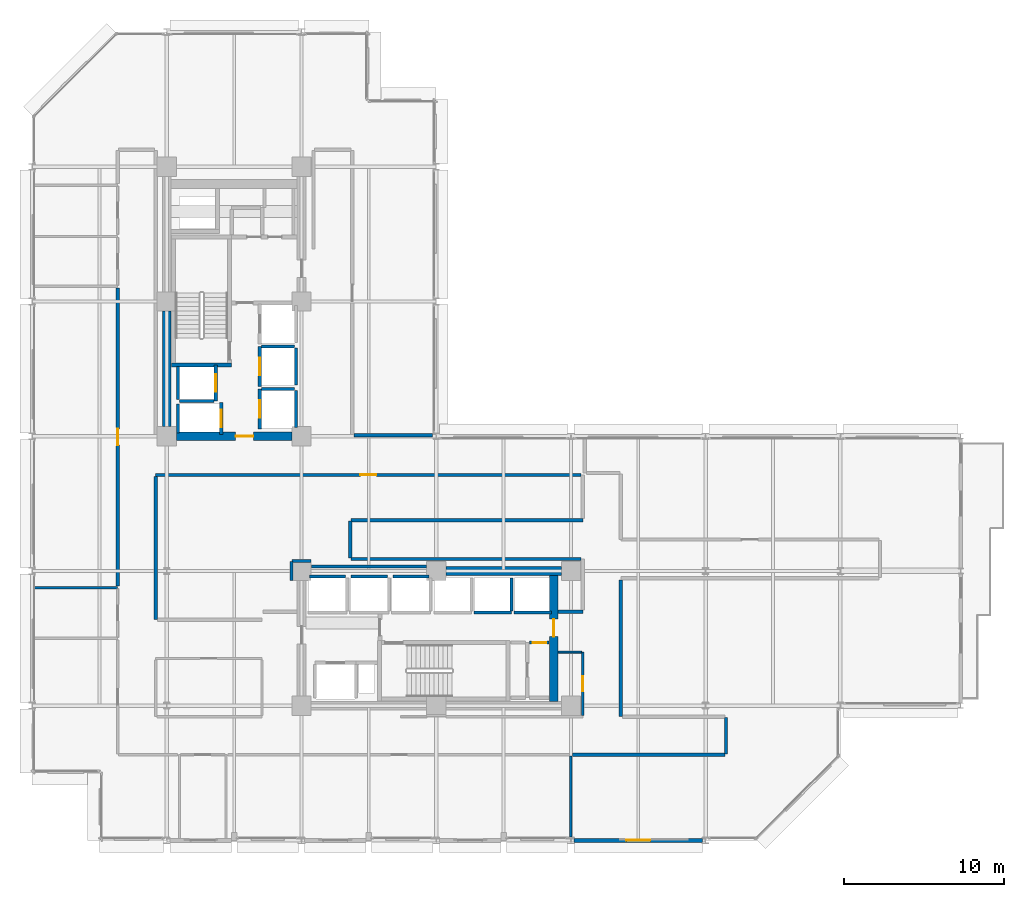
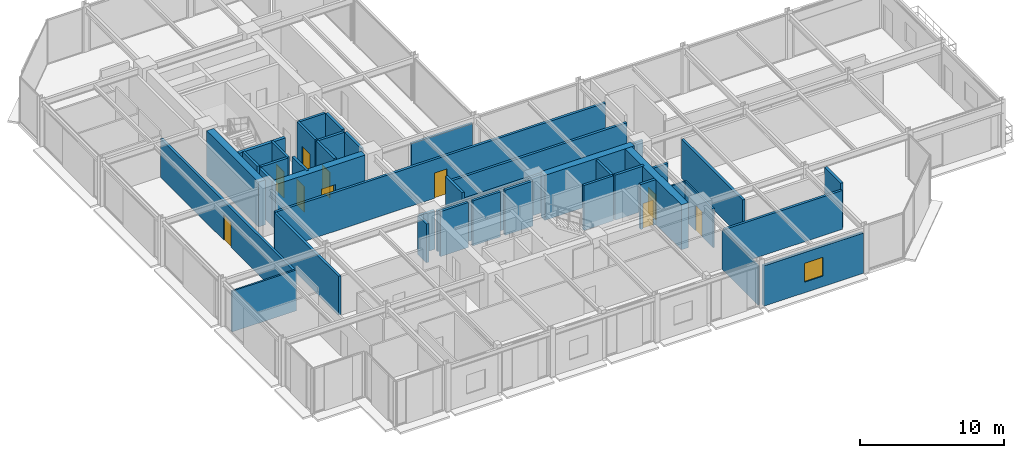
# One storey, part 33 of 39: 42 walls, 10 doors, 1 window, 11 openings.
"""IFC4 building model written with IfcOpenShell, lengths in metres."""

import ifcopenshell
import ifcopenshell.guid

model = None  # the IFC model being written
_history = None  # IfcOwnerHistory: only IFC2X3 demands one
_inside = {}  # id of a spatial element -> (the spatial element, [elements in it])
_under = {}  # id of a project, library or spatial element -> (it, [spatial elements below it])
_declared = {}  # id of a project -> (the project, [libraries it declares])
_typed = {}  # id of a type object -> (the type object, [elements of that type])
_made_of = {}  # id of a material, layer set ... -> (it, [elements and type objects made of it])


def new_model(schema):
    """Start an empty IFC model of exactly this schema.

    Asked for "IFC4X3", IfcOpenShell would pick the latest addendum, in which some entities
    have other attributes; the version numbers below select the first issue.
    IFC2X3 requires an IfcOwnerHistory on every rooted entity: one is made here for all.
    """
    global model, _history
    if schema == "IFC4X3":
        model = ifcopenshell.file(schema_version=(4, 3, 0, 0))
    else:
        model = ifcopenshell.file(schema=schema)
    _inside.clear()
    _under.clear()
    _declared.clear()
    _typed.clear()
    _made_of.clear()
    _history = None
    if model.schema == "IFC2X3":
        org = make("IfcOrganization", Name="unknown")
        user = make(
            "IfcPersonAndOrganization",
            ThePerson=make("IfcPerson", FamilyName="unknown"),
            TheOrganization=org,
        )
        app = make(
            "IfcApplication",
            ApplicationDeveloper=org,
            Version="unknown",
            ApplicationFullName="unknown",
            ApplicationIdentifier="unknown",
        )
        _history = make(
            "IfcOwnerHistory",
            OwningUser=user,
            OwningApplication=app,
            ChangeAction="ADDED",
            CreationDate=0,
        )
    return model


def make(cls, **values):
    """One entity of the class cls with the attributes given. An attribute that is None is left unset."""
    return model.create_entity(
        cls, **{name: value for name, value in values.items() if value is not None}
    )


def rooted(cls, **values):
    """An entity with a GlobalId (a new one), such as an element, a storey or a relation."""
    return make(cls, GlobalId=ifcopenshell.guid.new(), OwnerHistory=_history, **values)


def si_unit(unit_type, name, prefix=None):
    """IfcSIUnit, for example si_unit("LENGTHUNIT", "METRE", prefix="MILLI")."""
    return make("IfcSIUnit", UnitType=unit_type, Prefix=prefix, Name=name)


def assignment(units):
    """IfcUnitAssignment: the units of a project."""
    return None if units is None else make("IfcUnitAssignment", Units=units)


def point(xyz):
    """IfcCartesianPoint."""
    return None if xyz is None else make("IfcCartesianPoint", Coordinates=xyz)


def direction(xyz):
    """IfcDirection."""
    return None if xyz is None else make("IfcDirection", DirectionRatios=xyz)


def frame(location, z_axis=None, x_axis=None):
    """IfcAxis2Placement3D, a coordinate frame: its origin and axes. An axis left out is left unset."""
    return make(
        "IfcAxis2Placement3D",
        Location=point(location),
        Axis=direction(z_axis),
        RefDirection=direction(x_axis),
    )


def frame_2d(location, x_axis=None):
    """IfcAxis2Placement2D, a coordinate frame in the plane: its origin and x axis."""
    return make(
        "IfcAxis2Placement2D", Location=point(location), RefDirection=direction(x_axis)
    )


def origin():
    """The frame at (0, 0, 0) with its axes left unset."""
    return frame((0.0, 0.0, 0.0))


def place(relative_to, where):
    """IfcLocalPlacement: puts the frame where relative to a parent placement (None: the world)."""
    return make(
        "IfcLocalPlacement", PlacementRelTo=relative_to, RelativePlacement=where
    )


def context(
    kind, dimensions, precision=None, world=None, true_north=None, identifier=None
):
    """IfcGeometricRepresentationContext, for example the 3D "Model" context."""
    return make(
        "IfcGeometricRepresentationContext",
        ContextIdentifier=identifier,
        ContextType=kind,
        CoordinateSpaceDimension=dimensions,
        Precision=precision,
        WorldCoordinateSystem=world,
        TrueNorth=true_north,
    )


def subcontext(parent, identifier, kind, view, scale=None):
    """IfcGeometricRepresentationSubContext, for example "Body" below "Model"."""
    return make(
        "IfcGeometricRepresentationSubContext",
        ContextIdentifier=identifier,
        ContextType=kind,
        ParentContext=parent,
        TargetScale=scale,
        TargetView=view,
    )


def project(units=None, contexts=None):
    """IfcProject with its units and contexts."""
    return rooted(
        "IfcProject",
        Name="project",
        RepresentationContexts=contexts,
        UnitsInContext=assignment(units),
    )


def spatial(cls, under=None, at=None, **own):
    """A site, building, storey or space (cls), placed at a placement, below another one or the project."""
    s = rooted(cls, ObjectPlacement=at, **own)
    if under is not None:
        _under.setdefault(under.id(), (under, []))[1].append(s)
    return s


def profile(cls, at=None, kind="AREA", **sizes):
    """A parametric profile (cls). Its sizes go by their IFC names, for example OverallWidth=200.0."""
    return make(cls, ProfileType=kind, Position=at, **sizes)


def rectangle(**sizes):
    """IfcRectangleProfileDef."""
    return profile("IfcRectangleProfileDef", **sizes)


def extrude(swept, where, along, depth):
    """IfcExtrudedAreaSolid: the profile swept, set in the frame where, extruded along a direction by depth."""
    return make(
        "IfcExtrudedAreaSolid",
        SweptArea=swept,
        Position=where,
        ExtrudedDirection=direction(along),
        Depth=depth,
    )


def shape(context_of_items, identifier, shape_type, items):
    """IfcShapeRepresentation: the items that make up one representation, for example the "Body"."""
    return make(
        "IfcShapeRepresentation",
        ContextOfItems=context_of_items,
        RepresentationIdentifier=identifier,
        RepresentationType=shape_type,
        Items=items,
    )


def material(Name=None, Category=None):
    """IfcMaterial."""
    return make("IfcMaterial", Name=Name, Category=Category)


def layer(
    of_material, thickness, ventilated=None, Name=None, Category=None, Priority=None
):
    """IfcMaterialLayer: one layer of a wall or slab, of a material (None: an air gap)."""
    return make(
        "IfcMaterialLayer",
        Material=of_material,
        LayerThickness=thickness,
        IsVentilated=ventilated,
        Name=Name,
        Category=Category,
        Priority=Priority,
    )


def layer_set(layers, Name=None):
    """IfcMaterialLayerSet."""
    return make("IfcMaterialLayerSet", MaterialLayers=layers, LayerSetName=Name)


def made_of(thing, what):
    """Note that an element or type object is made of a material, layer set ...; save() writes the relation."""
    if what is not None:
        _made_of.setdefault(what.id(), (what, []))[1].append(thing)
    return thing


def type_object(cls, material=None, **own):
    """A type object (cls), such as IfcWallType, which elements share."""
    return made_of(rooted(cls, **own), material)


def element(
    cls,
    number,
    at=None,
    inside=None,
    cuts=None,
    type_object=None,
    material=None,
    context=None,
    identifier="Body",
    shape_type=None,
    held_by="IfcProductDefinitionShape",
    body=None,
    shapes=None,
    **own,
):
    """One element of the class cls, such as IfcWall. Its Tag is "e" and its number.

    at: its placement. inside: the storey or other place that contains it. cuts: it is an
    opening in that element (IfcRelVoidsElement). A single representation is given by context,
    identifier, shape_type and body (its items); several are given by shapes. held_by: the class
    of the entity that holds the representations. save() writes the other relations.
    """
    e = rooted(cls, Tag="e%d" % number, ObjectPlacement=at, **own)
    if body is not None:
        shapes = [shape(context, identifier, shape_type, body)]
    if shapes is not None:
        e.Representation = make(held_by, Representations=shapes)
    if inside is not None:
        _inside.setdefault(inside.id(), (inside, []))[1].append(e)
    if cuts is not None:
        rooted(
            "IfcRelVoidsElement", RelatingBuildingElement=cuts, RelatedOpeningElement=e
        )
    if type_object is not None:
        _typed.setdefault(type_object.id(), (type_object, []))[1].append(e)
    return made_of(e, material)


def fill(opening, filler):
    """IfcRelFillsElement: the door or window that sits in an opening."""
    return rooted(
        "IfcRelFillsElement",
        RelatingOpeningElement=opening,
        RelatedBuildingElement=filler,
    )


def aggregate(whole, parts):
    """IfcRelAggregates: a whole, such as a stair, and the parts it consists of."""
    return rooted("IfcRelAggregates", RelatingObject=whole, RelatedObjects=parts)


def save(model, path):
    """Write the relations noted so far, then the file.

    IfcRelAggregates (storeys below a building ...), IfcRelContainedInSpatialStructure (elements
    in a storey), IfcRelDefinesByType, IfcRelAssociatesMaterial and IfcRelDeclares: one each for
    every whole, place, type object, material and project.
    """
    for whole, parts in _under.values():
        aggregate(whole, parts)
    for where, things in _inside.values():
        rooted(
            "IfcRelContainedInSpatialStructure",
            RelatedElements=things,
            RelatingStructure=where,
        )
    for kind, things in _typed.values():
        rooted("IfcRelDefinesByType", RelatedObjects=things, RelatingType=kind)
    for what, things in _made_of.values():
        rooted("IfcRelAssociatesMaterial", RelatedObjects=things, RelatingMaterial=what)
    for by, libraries in _declared.values():
        rooted("IfcRelDeclares", RelatingContext=by, RelatedDefinitions=libraries)
    model.write(path)


model = new_model("IFC4")

# Units and contexts
model_context = context("Model", 3, precision=1e-05, world=origin(), true_north=direction((0.0, 1.0)))
body_context = subcontext(model_context, "Body", "Model", "MODEL_VIEW")
ifc_project = project(units=[si_unit("LENGTHUNIT", "METRE"), si_unit("AREAUNIT", "SQUARE_METRE"), si_unit("VOLUMEUNIT", "CUBIC_METRE"), si_unit("PLANEANGLEUNIT", "RADIAN"), si_unit("MASSUNIT", "GRAM", prefix="KILO")], contexts=[model_context])

# Site, building, storey
site_placement = place(None, origin())
site = spatial("IfcSite", under=ifc_project, at=site_placement, CompositionType="ELEMENT")
building_placement = place(site_placement, origin())
building = spatial("IfcBuilding", under=site, at=building_placement, Name="Nerrivon Quay Data Exchange", CompositionType="ELEMENT")
storey_placement = place(building_placement, frame((0.0, 0.0, 104.89990234375)))
storey = spatial("IfcBuildingStorey", under=building, at=storey_placement, Name="L24", CompositionType="ELEMENT", Elevation=104.89990234375)

# Wall, opening, window
ifc_material_1 = material(Name="Architectural terracotta precast concrete N50 (50 MPa)", Category="masonry")
ifc_layer_1 = layer(ifc_material_1, 0.239990234375)
ifc_layer_set_1 = layer_set([ifc_layer_1], Name="Architectural terracotta precast concrete N50 (50 MPa)")
wall_type_1 = type_object("IfcWallType", Name="EW-PREC-240", PredefinedType="STANDARD", material=ifc_layer_set_1)
wall_1_placement = place(storey_placement, frame((41.800048828125, 0.0, 0.0), z_axis=(0.0, 0.0, 1.0), x_axis=(-1.0, 0.0, 0.0)))
wall_1 = element("IfcWall", 1, at=wall_1_placement, inside=storey, type_object=wall_type_1, Name="L24 Podium Precast Spandrel Wall 7", PredefinedType="STANDARD", context=body_context, shape_type="SweptSolid", body=[
    extrude(rectangle(XDim=8.0, YDim=0.239990234375, at=frame_2d((4.0, 0.0))), origin(), (0.0, 0.0, 1.0), 3.422119140625),
])
opening_1_placement = place(wall_1_placement, frame((3.25, 0.0, 0.89990234375)))
opening_1 = element("IfcOpeningElement", 2, at=opening_1_placement, cuts=wall_1, Name="Opening WN4", PredefinedType="OPENING", context=body_context, shape_type="SweptSolid", body=[
    extrude(rectangle(XDim=1.5, YDim=1.60009765625, at=frame_2d((0.75, 0.800048828125))), frame((0.0, 0.1298828125, 0.0), z_axis=(0.0, -1.0, 0.0), x_axis=(1.0, 0.0, 0.0)), (0.0, 0.0, 1.0), 0.260009765625),
])
ifc_material_2 = material(Name="Double-glazed low-E solar control glass", Category="glass")
window_type = type_object("IfcWindowType", Name="WIN-W4-1500x1600", PartitioningType="SINGLE_PANEL", PredefinedType="WINDOW", material=ifc_material_2)
window_placement = place(opening_1_placement, origin())
window = element("IfcWindow", 3, at=window_placement, inside=storey, type_object=window_type, Name="L24 Solar Facade Window 7", OverallHeight=1.60009765625, OverallWidth=1.5, PartitioningType="SINGLE_PANEL", PredefinedType="WINDOW", context=body_context, shape_type="SweptSolid", body=[
    extrude(rectangle(XDim=1.5, YDim=1.60009765625, at=frame_2d((0.75, 0.800048828125))), frame((0.0, 0.030029296875, 0.0), z_axis=(0.0, -1.0, 0.0), x_axis=(1.0, 0.0, 0.0)), (0.0, 0.0, 1.0), 0.06005859375),
])
fill(opening_1, window)

# Wall
ifc_material_3 = material(Name="Concrete S65 (65 MPa)", Category="concrete")
ifc_layer_2 = layer(ifc_material_3, 0.550048828125)
ifc_layer_set_2 = layer_set([ifc_layer_2], Name="Concrete S65 (65 MPa)")
wall_type_2 = type_object("IfcWallType", Name="WALL-CW-700", PredefinedType="SHEAR", material=ifc_layer_set_2)
wall_2_placement = place(storey_placement, frame((8.39990234375, 25.800048828125, 0.0), z_axis=(0.0, 0.0, 1.0), x_axis=(0.0, 1.0, 0.0)))
element("IfcWall", 4, at=wall_2_placement, inside=storey, type_object=wall_type_2, Name="L24 West Split-Core Shear Wall WCW-W1", PredefinedType="SHEAR", context=body_context, shape_type="SweptSolid", body=[
    extrude(rectangle(XDim=7.199951171875, YDim=0.550048828125, at=frame_2d((3.60009765625, 0.0))), origin(), (0.0, 0.0, 1.0), 3.8251953125),
])

# Wall, opening, door
wall_3_placement = place(storey_placement, frame((9.0, 25.199951171875, 0.0), z_axis=(0.0, 0.0, 1.0), x_axis=(1.0, 0.0, 0.0)))
wall_3 = element("IfcWall", 5, at=wall_3_placement, inside=storey, type_object=wall_type_2, Name="L24 West Split-Core Shear Wall WCW-S1", PredefinedType="SHEAR", context=body_context, shape_type="SweptSolid", body=[
    extrude(rectangle(XDim=7.199951171875, YDim=0.550048828125, at=frame_2d((3.60009765625, 0.0))), origin(), (0.0, 0.0, 1.0), 3.8251953125),
])
opening_2_placement = place(wall_3_placement, frame((3.699951171875, 0.0, 0.0)))
opening_2 = element("IfcOpeningElement", 6, at=opening_2_placement, cuts=wall_3, Name="Opening FD-120", PredefinedType="OPENING", context=body_context, shape_type="SweptSolid", body=[
    extrude(rectangle(XDim=1.10009765625, YDim=2.14990234375, at=frame_2d((0.550048828125, 1.074951171875))), frame((0.0, 0.284912109375, 0.0), z_axis=(0.0, -1.0, 0.0), x_axis=(1.0, 0.0, 0.0)), (0.0, 0.0, 1.0), 0.570068359375),
])
ifc_material_4 = material(Name="Powder-coated galvanized steel sheet", Category="steel")
door_type_1 = type_object("IfcDoorType", Name="DR-FD120-1100", OperationType="NOTDEFINED", PredefinedType="DOOR", material=ifc_material_4)
door_1_placement = place(opening_2_placement, origin())
door_1 = element("IfcDoor", 7, at=door_1_placement, inside=storey, type_object=door_type_1, Name="L24 West Core Lobby Fire Door", OperationType="SINGLE_SWING_RIGHT", OverallHeight=2.14990234375, OverallWidth=1.10009765625, PredefinedType="DOOR", context=body_context, shape_type="SweptSolid", body=[
    extrude(rectangle(XDim=1.10009765625, YDim=2.14990234375, at=frame_2d((0.550048828125, 1.074951171875))), frame((0.0, 0.02490234375, 0.0), z_axis=(0.0, -1.0, 0.0), x_axis=(1.0, 0.0, 0.0)), (0.0, 0.0, 1.0), 0.050048828125),
])
fill(opening_2, door_1)

wall_4_placement = place(storey_placement, frame((32.52490234375, 8.675048828125, 0.0), z_axis=(0.0, 0.0, 1.0), x_axis=(0.0, 1.0, 0.0)))
wall_4 = element("IfcWall", 8, at=wall_4_placement, inside=storey, type_object=wall_type_2, Name="L24 East Split-Core Shear Wall ECW-E1", PredefinedType="SHEAR", context=body_context, shape_type="SweptSolid", body=[
    extrude(rectangle(XDim=7.849853515625, YDim=0.550048828125, at=frame_2d((3.9248046875, 0.0))), origin(), (0.0, 0.0, 1.0), 3.8251953125),
])
opening_3_placement = place(wall_4_placement, frame((4.02490234375, 0.0, 0.0)))
opening_3 = element("IfcOpeningElement", 9, at=opening_3_placement, cuts=wall_4, Name="Opening FD-120", PredefinedType="OPENING", context=body_context, shape_type="SweptSolid", body=[
    extrude(rectangle(XDim=1.10009765625, YDim=2.14990234375, at=frame_2d((0.550048828125, 1.074951171875))), frame((0.0, 0.284912109375, 0.0), z_axis=(0.0, -1.0, 0.0), x_axis=(1.0, 0.0, 0.0)), (0.0, 0.0, 1.0), 0.570068359375),
])
door_2_placement = place(opening_3_placement, origin())
door_2 = element("IfcDoor", 10, at=door_2_placement, inside=storey, type_object=door_type_1, Name="L24 East Core Lobby Fire Door", OperationType="SINGLE_SWING_LEFT", OverallHeight=2.14990234375, OverallWidth=1.10009765625, PredefinedType="DOOR", context=body_context, shape_type="SweptSolid", body=[
    extrude(rectangle(XDim=1.10009765625, YDim=2.14990234375, at=frame_2d((0.550048828125, 1.074951171875))), frame((0.0, 0.02490234375, 0.0), z_axis=(0.0, -1.0, 0.0), x_axis=(1.0, 0.0, 0.0)), (0.0, 0.0, 1.0), 0.050048828125),
])
fill(opening_3, door_2)

# Wall
wall_5_placement = place(storey_placement, frame((25.800048828125, 16.800048828125, 0.0), z_axis=(0.0, 0.0, 1.0), x_axis=(1.0, 0.0, 0.0)))
element("IfcWall", 11, at=wall_5_placement, inside=storey, type_object=wall_type_2, Name="L24 East Split-Core Shear Wall ECW-N1", PredefinedType="SHEAR", context=body_context, shape_type="SweptSolid", body=[
    extrude(rectangle(XDim=7.199951171875, YDim=0.550048828125, at=frame_2d((3.60009765625, 0.0))), origin(), (0.0, 0.0, 1.0), 3.8251953125),
])

# Wall, opening, door
ifc_material_5 = material(Name="Gypsum plasterboard on cold-formed framing", Category="gypsum")
ifc_layer_3 = layer(ifc_material_5, 0.199951171875)
ifc_layer_set_3 = layer_set([ifc_layer_3], Name="Gypsum plasterboard on cold-formed framing")
wall_type_3 = type_object("IfcWallType", Name="WALL-FW-200", PredefinedType="PARTITIONING", material=ifc_layer_set_3)
wall_6_placement = place(storey_placement, frame((11.449951171875, 27.39990234375, 0.0), z_axis=(0.0, 0.0, 1.0), x_axis=(0.0, 1.0, 0.0)))
wall_6 = element("IfcWall", 12, at=wall_6_placement, inside=storey, type_object=wall_type_3, Name="L24 Lift Front Wall FFL-1", PredefinedType="PARTITIONING", context=body_context, shape_type="SweptSolid", body=[
    extrude(rectangle(XDim=2.25, YDim=0.199951171875, at=frame_2d((1.125, 0.0))), origin(), (0.0, 0.0, 1.0), 3.8251953125),
])
opening_4_placement = place(wall_6_placement, frame((0.574951171875, 0.0, 0.0)))
opening_4 = element("IfcOpeningElement", 13, at=opening_4_placement, cuts=wall_6, Name="Opening LD-120", PredefinedType="OPENING", context=body_context, shape_type="SweptSolid", body=[
    extrude(rectangle(XDim=1.10009765625, YDim=2.199951171875, at=frame_2d((0.550048828125, 1.10009765625))), frame((0.0, 0.10986328125, 0.0), z_axis=(0.0, -1.0, 0.0), x_axis=(1.0, 0.0, 0.0)), (0.0, 0.0, 1.0), 0.219970703125),
])
door_type_2 = type_object("IfcDoorType", Name="DR-LIFT-LD120", OperationType="DOUBLE_DOOR_SLIDING", PredefinedType="DOOR", material=ifc_material_4)
door_3_placement = place(opening_4_placement, origin())
door_3 = element("IfcDoor", 14, at=door_3_placement, inside=storey, type_object=door_type_2, Name="L24 Lift Landing Sliding Door FFL-1", OperationType="DOUBLE_DOOR_SLIDING", OverallHeight=2.199951171875, OverallWidth=1.10009765625, PredefinedType="DOOR", context=body_context, shape_type="SweptSolid", body=[
    extrude(rectangle(XDim=1.10009765625, YDim=2.199951171875, at=frame_2d((0.550048828125, 1.10009765625))), frame((0.0, 0.02490234375, 0.0), z_axis=(0.0, -1.0, 0.0), x_axis=(1.0, 0.0, 0.0)), (0.0, 0.0, 1.0), 0.050048828125),
])
fill(opening_4, door_3)

# Walls
wall_7_placement = place(storey_placement, frame((9.10009765625, 27.5, 0.0), z_axis=(0.0, 0.0, 1.0), x_axis=(0.0, 1.0, 0.0)))
element("IfcWall", 15, at=wall_7_placement, inside=storey, type_object=wall_type_3, Name="L24 Lift Shaft Wall FFL-1 WEST", PredefinedType="PARTITIONING", context=body_context, shape_type="SweptSolid", body=[
    extrude(rectangle(XDim=2.050048828125, YDim=0.199951171875, at=frame_2d((1.02490234375, 0.0))), origin(), (0.0, 0.0, 1.0), 3.8251953125),
])
wall_8_placement = place(storey_placement, frame((9.199951171875, 27.39990234375, 0.0), z_axis=(0.0, 0.0, 1.0), x_axis=(1.0, 0.0, 0.0)))
element("IfcWall", 16, at=wall_8_placement, inside=storey, type_object=wall_type_3, Name="L24 Lift Shaft Wall FFL-1 SOUTH", PredefinedType="PARTITIONING", context=body_context, shape_type="SweptSolid", body=[
    extrude(rectangle(XDim=2.150146484375, YDim=0.199951171875, at=frame_2d((1.0751953125, 0.0))), origin(), (0.0, 0.0, 1.0), 3.8251953125),
])

# Wall, opening, door
wall_9_placement = place(storey_placement, frame((11.800048828125, 25.300048828125, 0.0), z_axis=(0.0, 0.0, 1.0), x_axis=(0.0, 1.0, 0.0)))
wall_9 = element("IfcWall", 17, at=wall_9_placement, inside=storey, type_object=wall_type_3, Name="L24 Lift Front Wall SVL-1", PredefinedType="PARTITIONING", context=body_context, shape_type="SweptSolid", body=[
    extrude(rectangle(XDim=2.0, YDim=0.199951171875, at=frame_2d((1.0, 0.0))), origin(), (0.0, 0.0, 1.0), 3.8251953125),
])
opening_5_placement = place(wall_9_placement, frame((0.449951171875, 0.0, 0.0)))
opening_5 = element("IfcOpeningElement", 18, at=opening_5_placement, cuts=wall_9, Name="Opening LD-120", PredefinedType="OPENING", context=body_context, shape_type="SweptSolid", body=[
    extrude(rectangle(XDim=1.10009765625, YDim=2.199951171875, at=frame_2d((0.550048828125, 1.10009765625))), frame((0.0, 0.10986328125, 0.0), z_axis=(0.0, -1.0, 0.0), x_axis=(1.0, 0.0, 0.0)), (0.0, 0.0, 1.0), 0.219970703125),
])
door_4_placement = place(opening_5_placement, origin())
door_4 = element("IfcDoor", 19, at=door_4_placement, inside=storey, type_object=door_type_2, Name="L24 Lift Landing Sliding Door SVL-1", OperationType="DOUBLE_DOOR_SLIDING", OverallHeight=2.199951171875, OverallWidth=1.10009765625, PredefinedType="DOOR", context=body_context, shape_type="SweptSolid", body=[
    extrude(rectangle(XDim=1.10009765625, YDim=2.199951171875, at=frame_2d((0.550048828125, 1.10009765625))), frame((0.0, 0.02490234375, 0.0), z_axis=(0.0, -1.0, 0.0), x_axis=(1.0, 0.0, 0.0)), (0.0, 0.0, 1.0), 0.050048828125),
])
fill(opening_5, door_4)

# Wall
wall_10_placement = place(storey_placement, frame((9.10009765625, 25.39990234375, 0.0), z_axis=(0.0, 0.0, 1.0), x_axis=(0.0, 1.0, 0.0)))
element("IfcWall", 20, at=wall_10_placement, inside=storey, type_object=wall_type_3, Name="L24 Lift Shaft Wall SVL-1 WEST", PredefinedType="PARTITIONING", context=body_context, shape_type="SweptSolid", body=[
    extrude(rectangle(XDim=1.800048828125, YDim=0.199951171875, at=frame_2d((0.89990234375, 0.0))), origin(), (0.0, 0.0, 1.0), 3.8251953125),
])

# Wall, opening, door
wall_11_placement = place(storey_placement, frame((14.199951171875, 25.64990234375, 0.0), z_axis=(0.0, 0.0, 1.0), x_axis=(0.0, 1.0, 0.0)))
wall_11 = element("IfcWall", 21, at=wall_11_placement, inside=storey, type_object=wall_type_3, Name="L24 Lift Front Wall PL1", PredefinedType="PARTITIONING", context=body_context, shape_type="SweptSolid", body=[
    extrude(rectangle(XDim=2.5, YDim=0.199951171875, at=frame_2d((1.25, 0.0))), origin(), (0.0, 0.0, 1.0), 3.8251953125),
])
opening_6_placement = place(wall_11_placement, frame((0.699951171875, 0.0, 0.0)))
opening_6 = element("IfcOpeningElement", 22, at=opening_6_placement, cuts=wall_11, Name="Opening LD-120", PredefinedType="OPENING", context=body_context, shape_type="SweptSolid", body=[
    extrude(rectangle(XDim=1.10009765625, YDim=2.199951171875, at=frame_2d((0.550048828125, 1.10009765625))), frame((0.0, 0.10986328125, 0.0), z_axis=(0.0, -1.0, 0.0), x_axis=(1.0, 0.0, 0.0)), (0.0, 0.0, 1.0), 0.219970703125),
])
door_5_placement = place(opening_6_placement, origin())
door_5 = element("IfcDoor", 23, at=door_5_placement, inside=storey, type_object=door_type_2, Name="L24 Lift Landing Sliding Door PL1", OperationType="DOUBLE_DOOR_SLIDING", OverallHeight=2.199951171875, OverallWidth=1.10009765625, PredefinedType="DOOR", context=body_context, shape_type="SweptSolid", body=[
    extrude(rectangle(XDim=1.10009765625, YDim=2.199951171875, at=frame_2d((0.550048828125, 1.10009765625))), frame((0.0, 0.02490234375, 0.0), z_axis=(0.0, -1.0, 0.0), x_axis=(1.0, 0.0, 0.0)), (0.0, 0.0, 1.0), 0.050048828125),
])
fill(opening_6, door_5)

# Walls
wall_12_placement = place(storey_placement, frame((16.449951171875, 25.75, 0.0), z_axis=(0.0, 0.0, 1.0), x_axis=(0.0, 1.0, 0.0)))
element("IfcWall", 24, at=wall_12_placement, inside=storey, type_object=wall_type_3, Name="L24 Lift Shaft Wall PL1 EAST", PredefinedType="PARTITIONING", context=body_context, shape_type="SweptSolid", body=[
    extrude(rectangle(XDim=2.300048828125, YDim=0.199951171875, at=frame_2d((1.14990234375, 0.0))), origin(), (0.0, 0.0, 1.0), 3.8251953125),
])
wall_13_placement = place(storey_placement, frame((14.300048828125, 28.14990234375, 0.0), z_axis=(0.0, 0.0, 1.0), x_axis=(1.0, 0.0, 0.0)))
element("IfcWall", 25, at=wall_13_placement, inside=storey, type_object=wall_type_3, Name="L24 Lift Shaft Wall PL1 NORTH", PredefinedType="PARTITIONING", context=body_context, shape_type="SweptSolid", body=[
    extrude(rectangle(XDim=2.050048828125, YDim=0.199951171875, at=frame_2d((1.02490234375, 0.0))), origin(), (0.0, 0.0, 1.0), 3.8251953125),
])

# Wall, opening, door
wall_14_placement = place(storey_placement, frame((14.199951171875, 28.300048828125, 0.0), z_axis=(0.0, 0.0, 1.0), x_axis=(0.0, 1.0, 0.0)))
wall_14 = element("IfcWall", 26, at=wall_14_placement, inside=storey, type_object=wall_type_3, Name="L24 Lift Front Wall PL2", PredefinedType="PARTITIONING", context=body_context, shape_type="SweptSolid", body=[
    extrude(rectangle(XDim=2.5, YDim=0.199951171875, at=frame_2d((1.25, 0.0))), origin(), (0.0, 0.0, 1.0), 3.8251953125),
])
opening_7_placement = place(wall_14_placement, frame((0.699951171875, 0.0, 0.0)))
opening_7 = element("IfcOpeningElement", 27, at=opening_7_placement, cuts=wall_14, Name="Opening LD-120", PredefinedType="OPENING", context=body_context, shape_type="SweptSolid", body=[
    extrude(rectangle(XDim=1.10009765625, YDim=2.199951171875, at=frame_2d((0.550048828125, 1.10009765625))), frame((0.0, 0.10986328125, 0.0), z_axis=(0.0, -1.0, 0.0), x_axis=(1.0, 0.0, 0.0)), (0.0, 0.0, 1.0), 0.219970703125),
])
door_6_placement = place(opening_7_placement, origin())
door_6 = element("IfcDoor", 28, at=door_6_placement, inside=storey, type_object=door_type_2, Name="L24 Lift Landing Sliding Door PL2", OperationType="DOUBLE_DOOR_SLIDING", OverallHeight=2.199951171875, OverallWidth=1.10009765625, PredefinedType="DOOR", context=body_context, shape_type="SweptSolid", body=[
    extrude(rectangle(XDim=1.10009765625, YDim=2.199951171875, at=frame_2d((0.550048828125, 1.10009765625))), frame((0.0, 0.02490234375, 0.0), z_axis=(0.0, -1.0, 0.0), x_axis=(1.0, 0.0, 0.0)), (0.0, 0.0, 1.0), 0.050048828125),
])
fill(opening_7, door_6)

# Walls
wall_15_placement = place(storey_placement, frame((16.449951171875, 28.39990234375, 0.0), z_axis=(0.0, 0.0, 1.0), x_axis=(0.0, 1.0, 0.0)))
element("IfcWall", 29, at=wall_15_placement, inside=storey, type_object=wall_type_3, Name="L24 Lift Shaft Wall PL2 EAST", PredefinedType="PARTITIONING", context=body_context, shape_type="SweptSolid", body=[
    extrude(rectangle(XDim=2.300048828125, YDim=0.199951171875, at=frame_2d((1.14990234375, 0.0))), origin(), (0.0, 0.0, 1.0), 3.8251953125),
])
wall_16_placement = place(storey_placement, frame((14.300048828125, 30.800048828125, 0.0), z_axis=(0.0, 0.0, 1.0), x_axis=(1.0, 0.0, 0.0)))
element("IfcWall", 30, at=wall_16_placement, inside=storey, type_object=wall_type_3, Name="L24 Lift Shaft Wall PL2 NORTH", PredefinedType="PARTITIONING", context=body_context, shape_type="SweptSolid", body=[
    extrude(rectangle(XDim=2.050048828125, YDim=0.199951171875, at=frame_2d((1.02490234375, 0.0))), origin(), (0.0, 0.0, 1.0), 3.8251953125),
])
for number, where, z_axis, x_axis, name in (
    (31, (17.300048828125, 16.449951171875, 0.0), (0.0, 0.0, 1.0), (1.0, 0.0, 0.0), "L24 Lift Shaft Wall PL4 NORTH"),
    (32, (19.89990234375, 16.449951171875, 0.0), (0.0, 0.0, 1.0), (1.0, 0.0, 0.0), "L24 Lift Shaft Wall PL5 NORTH"),
    (33, (22.5, 16.449951171875, 0.0), (0.0, 0.0, 1.0), (1.0, 0.0, 0.0), "L24 Lift Shaft Wall PL6 NORTH"),
):
    element("IfcWall", number, at=place(storey_placement, frame(where, z_axis=z_axis, x_axis=x_axis)), inside=storey, type_object=wall_type_3, Name=name, PredefinedType="PARTITIONING", context=body_context, shape_type="SweptSolid", body=[
        extrude(rectangle(XDim=2.25, YDim=0.199951171875, at=frame_2d((1.125, 0.0))), origin(), (0.0, 0.0, 1.0), 3.8251953125),
    ])
wall_17_placement = place(storey_placement, frame((27.550048828125, 14.199951171875, 0.0), z_axis=(0.0, 0.0, 1.0), x_axis=(1.0, 0.0, 0.0)))
element("IfcWall", 34, at=wall_17_placement, inside=storey, type_object=wall_type_3, Name="L24 Lift Front Wall PL8", PredefinedType="PARTITIONING", context=body_context, shape_type="SweptSolid", body=[
    extrude(rectangle(XDim=2.349853515625, YDim=0.199951171875, at=frame_2d((1.1748046875, 0.0))), origin(), (0.0, 0.0, 1.0), 3.8251953125),
])
wall_18_placement = place(storey_placement, frame((29.89990234375, 14.300048828125, 0.0), z_axis=(0.0, 0.0, 1.0), x_axis=(0.0, 1.0, 0.0)))
element("IfcWall", 35, at=wall_18_placement, inside=storey, type_object=wall_type_3, Name="L24 Lift Shaft Wall PL8 EAST", PredefinedType="PARTITIONING", context=body_context, shape_type="SweptSolid", body=[
    extrude(rectangle(XDim=2.050048828125, YDim=0.199951171875, at=frame_2d((1.02490234375, 0.0))), origin(), (0.0, 0.0, 1.0), 3.8251953125),
])
wall_19_placement = place(storey_placement, frame((30.050048828125, 14.199951171875, 0.0), z_axis=(0.0, 0.0, 1.0), x_axis=(1.0, 0.0, 0.0)))
element("IfcWall", 36, at=wall_19_placement, inside=storey, type_object=wall_type_3, Name="L24 Lift Front Wall PL9", PredefinedType="PARTITIONING", context=body_context, shape_type="SweptSolid", body=[
    extrude(rectangle(XDim=2.349853515625, YDim=0.199951171875, at=frame_2d((1.1748046875, 0.0))), origin(), (0.0, 0.0, 1.0), 3.8251953125),
])

# Wall, opening, door
wall_20_placement = place(storey_placement, frame((32.24609375, 12.330078125, 0.0), z_axis=(0.0, 0.0, 1.0), x_axis=(-1.0, 0.0, 0.0)))
wall_20 = element("IfcWall", 37, at=wall_20_placement, inside=storey, type_object=wall_type_3, Name="L24 Partition East Cleaners Store", PredefinedType="PARTITIONING", context=body_context, shape_type="SweptSolid", body=[
    extrude(rectangle(XDim=1.22607421875, YDim=0.199951171875, at=frame_2d((0.613037109375, 0.0))), origin(), (0.0, 0.0, 1.0), 3.8251953125),
])
opening_8_placement = place(wall_20_placement, frame((0.18798828125, 0.0, 0.0)))
opening_8 = element("IfcOpeningElement", 38, at=opening_8_placement, cuts=wall_20, Name="Opening FD-60S", PredefinedType="OPENING", context=body_context, shape_type="SweptSolid", body=[
    extrude(rectangle(XDim=0.85009765625, YDim=2.14990234375, at=frame_2d((0.425048828125, 1.074951171875))), frame((0.0, 0.10986328125, 0.0), z_axis=(0.0, -1.0, 0.0), x_axis=(1.0, 0.0, 0.0)), (0.0, 0.0, 1.0), 0.219970703125),
])
ifc_material_6 = material(Name="Engineered hardwood timber", Category="wood")
door_type_3 = type_object("IfcDoorType", Name="DR-FD60-850", OperationType="NOTDEFINED", PredefinedType="DOOR", material=ifc_material_6)
door_7_placement = place(opening_8_placement, origin())
door_7 = element("IfcDoor", 39, at=door_7_placement, inside=storey, type_object=door_type_3, Name="L24 Door East Cleaners Store", OperationType="SINGLE_SWING_RIGHT", OverallHeight=2.14990234375, OverallWidth=0.85009765625, PredefinedType="DOOR", context=body_context, shape_type="SweptSolid", body=[
    extrude(rectangle(XDim=0.85009765625, YDim=2.14990234375, at=frame_2d((0.425048828125, 1.074951171875))), frame((0.0, 0.02490234375, 0.0), z_axis=(0.0, -1.0, 0.0), x_axis=(1.0, 0.0, 0.0)), (0.0, 0.0, 1.0), 0.050048828125),
])
fill(opening_8, door_7)

wall_21_placement = place(storey_placement, frame((5.340087890625, 15.8701171875, 0.0), z_axis=(0.0, 0.0, 1.0), x_axis=(0.0, 1.0, 0.0)))
wall_21 = element("IfcWall", 40, at=wall_21_placement, inside=storey, type_object=wall_type_3, Name="L24 Partition Colocation Data Workspace 1", PredefinedType="PARTITIONING", context=body_context, shape_type="SweptSolid", body=[
    extrude(rectangle(XDim=18.559814453125, YDim=0.199951171875, at=frame_2d((9.27978515625, 0.0))), origin(), (0.0, 0.0, 1.0), 3.2919921875),
])
opening_9_placement = place(wall_21_placement, frame((8.780029296875, 0.0, 0.0)))
opening_9 = element("IfcOpeningElement", 41, at=opening_9_placement, cuts=wall_21, Name="Opening FD-60", PredefinedType="OPENING", context=body_context, shape_type="SweptSolid", body=[
    extrude(rectangle(XDim=1.0, YDim=2.14990234375, at=frame_2d((0.5, 1.074951171875))), frame((0.0, 0.10986328125, 0.0), z_axis=(0.0, -1.0, 0.0), x_axis=(1.0, 0.0, 0.0)), (0.0, 0.0, 1.0), 0.219970703125),
])
door_type_4 = type_object("IfcDoorType", Name="DR-FD60-1000", OperationType="NOTDEFINED", PredefinedType="DOOR", material=ifc_material_6)
door_8_placement = place(opening_9_placement, origin())
door_8 = element("IfcDoor", 42, at=door_8_placement, inside=storey, type_object=door_type_4, Name="L24 Door Colocation Data Workspace 1", OperationType="SINGLE_SWING_RIGHT", OverallHeight=2.14990234375, OverallWidth=1.0, PredefinedType="DOOR", context=body_context, shape_type="SweptSolid", body=[
    extrude(rectangle(XDim=1.0, YDim=2.14990234375, at=frame_2d((0.5, 1.074951171875))), frame((0.0, 0.02490234375, 0.0), z_axis=(0.0, -1.0, 0.0), x_axis=(1.0, 0.0, 0.0)), (0.0, 0.0, 1.0), 0.050048828125),
])
fill(opening_9, door_8)

# Walls
wall_22_placement = place(storey_placement, frame((32.803955078125, 14.260009765625, 0.0), z_axis=(0.0, 0.0, 1.0), x_axis=(1.0, 0.0, 0.0)))
element("IfcWall", 43, at=wall_22_placement, inside=storey, type_object=wall_type_3, Name="L24 Partition Colocation Data Workspace 6", PredefinedType="PARTITIONING", context=body_context, shape_type="SweptSolid", body=[
    extrude(rectangle(XDim=1.5361328125, YDim=0.199951171875, at=frame_2d((0.76806640625, 0.0))), origin(), (0.0, 0.0, 1.0), 3.297119140625),
])
wall_23_placement = place(storey_placement, frame((34.236083984375, 17.5400390625, 0.0), z_axis=(0.0, 0.0, 1.0), x_axis=(-1.0, 0.0, 0.0)))
element("IfcWall", 44, at=wall_23_placement, inside=storey, type_object=wall_type_3, Name="L24 Partition Colocation Data Workspace 6", PredefinedType="PARTITIONING", context=body_context, shape_type="SweptSolid", body=[
    extrude(rectangle(XDim=14.336181640625, YDim=0.199951171875, at=frame_2d((7.16796875, 0.0))), origin(), (0.0, 0.0, 1.0), 3.297119140625),
])
wall_24_placement = place(storey_placement, frame((19.840087890625, 17.60009765625, 0.0), z_axis=(0.0, 0.0, 1.0), x_axis=(0.0, 1.0, 0.0)))
element("IfcWall", 45, at=wall_24_placement, inside=storey, type_object=wall_type_3, Name="L24 Partition Colocation Data Workspace 6", PredefinedType="PARTITIONING", context=body_context, shape_type="SweptSolid", body=[
    extrude(rectangle(XDim=2.2998046875, YDim=0.199951171875, at=frame_2d((1.14990234375, 0.0))), origin(), (0.0, 0.0, 1.0), 3.8251953125),
])
wall_25_placement = place(storey_placement, frame((19.89990234375, 19.9599609375, 0.0), z_axis=(0.0, 0.0, 1.0), x_axis=(1.0, 0.0, 0.0)))
element("IfcWall", 46, at=wall_25_placement, inside=storey, type_object=wall_type_3, Name="L24 Partition Colocation Data Workspace 6", PredefinedType="PARTITIONING", context=body_context, shape_type="SweptSolid", body=[
    extrude(rectangle(XDim=14.440185546875, YDim=0.199951171875, at=frame_2d((7.22021484375, 0.0))), origin(), (0.0, 0.0, 1.0), 3.297119140625),
])

# Wall, opening, door
wall_26_placement = place(storey_placement, frame((34.236083984375, 22.7900390625, 0.0), z_axis=(0.0, 0.0, 1.0), x_axis=(-1.0, 0.0, 0.0)))
wall_26 = element("IfcWall", 47, at=wall_26_placement, inside=storey, type_object=wall_type_3, Name="L24 Partition Colocation Data Workspace 6", PredefinedType="PARTITIONING", context=body_context, shape_type="SweptSolid", body=[
    extrude(rectangle(XDim=26.526123046875, YDim=0.199951171875, at=frame_2d((13.26318359375, 0.0))), origin(), (0.0, 0.0, 1.0), 3.297119140625),
])
opening_10_placement = place(wall_26_placement, frame((12.762939453125, 0.0, 0.0)))
opening_10 = element("IfcOpeningElement", 48, at=opening_10_placement, cuts=wall_26, Name="Opening FD-60", PredefinedType="OPENING", context=body_context, shape_type="SweptSolid", body=[
    extrude(rectangle(XDim=1.0, YDim=2.14990234375, at=frame_2d((0.5, 1.074951171875))), frame((0.0, 0.10986328125, 0.0), z_axis=(0.0, -1.0, 0.0), x_axis=(1.0, 0.0, 0.0)), (0.0, 0.0, 1.0), 0.219970703125),
])
door_9_placement = place(opening_10_placement, origin())
door_9 = element("IfcDoor", 49, at=door_9_placement, inside=storey, type_object=door_type_4, Name="L24 Door Colocation Data Workspace 6", OperationType="SINGLE_SWING_RIGHT", OverallHeight=2.14990234375, OverallWidth=1.0, PredefinedType="DOOR", context=body_context, shape_type="SweptSolid", body=[
    extrude(rectangle(XDim=1.0, YDim=2.14990234375, at=frame_2d((0.5, 1.074951171875))), frame((0.0, 0.02490234375, 0.0), z_axis=(0.0, -1.0, 0.0), x_axis=(1.0, 0.0, 0.0)), (0.0, 0.0, 1.0), 0.050048828125),
])
fill(opening_10, door_9)

# Walls
wall_27_placement = place(storey_placement, frame((7.7099609375, 22.68603515625, 0.0), z_axis=(0.0, 0.0, 1.0), x_axis=(0.0, -1.0, 0.0)))
element("IfcWall", 50, at=wall_27_placement, inside=storey, type_object=wall_type_3, Name="L24 Partition Colocation Data Workspace 6", PredefinedType="PARTITIONING", context=body_context, shape_type="SweptSolid", body=[
    extrude(rectangle(XDim=8.926025390625, YDim=0.199951171875, at=frame_2d((4.462890625, 0.0))), origin(), (0.0, 0.0, 1.0), 3.2919921875),
])
wall_28_placement = place(storey_placement, frame((16.180908203125, 16.194091796875, 0.0), z_axis=(0.0, 0.0, 1.0), x_axis=(-0.000809880277, 0.999999672047, 0.0)))
element("IfcWall", 51, at=wall_28_placement, inside=storey, type_object=wall_type_3, Name="L24 Partition Colocation Data Workspace 6", PredefinedType="PARTITIONING", context=body_context, shape_type="SweptSolid", body=[
    extrude(rectangle(XDim=1.205810546875, YDim=0.199951171875, at=frame_2d((0.60302734375, 0.0))), origin(), (0.0, 0.0, 1.0), 3.2919921875),
])
wall_29_placement = place(storey_placement, frame((16.196044921875, 17.419677734375, 0.0), z_axis=(0.0, 0.0, 1.0), x_axis=(0.99999991854, -0.000403632661, 0.0)))
element("IfcWall", 52, at=wall_29_placement, inside=storey, type_object=wall_type_3, Name="L24 Partition Colocation Data Workspace 6", PredefinedType="PARTITIONING", context=body_context, shape_type="SweptSolid", body=[
    extrude(rectangle(XDim=1.209716796875, YDim=0.199951171875, at=frame_2d((0.60498046875, 0.0))), origin(), (0.0, 0.0, 1.0), 3.297119140625),
])
wall_30_placement = place(storey_placement, frame((17.419921875, 17.074951171875, 0.0), z_axis=(0.0, 0.0, 1.0), x_axis=(1.0, 0.0, 0.0)))
element("IfcWall", 53, at=wall_30_placement, inside=storey, type_object=wall_type_3, Name="L24 Partition Colocation Data Workspace 6", PredefinedType="PARTITIONING", context=body_context, shape_type="SweptSolid", body=[
    extrude(rectangle(XDim=7.16015625, YDim=0.199951171875, at=frame_2d((3.580078125, 0.0))), origin(), (0.0, 0.0, 1.0), 3.468994140625),
])
wall_31_placement = place(storey_placement, frame((20.06396484375, 25.260009765625, 0.0), z_axis=(0.0, 0.0, 1.0), x_axis=(1.0, 0.0, 0.0)))
element("IfcWall", 54, at=wall_31_placement, inside=storey, type_object=wall_type_3, Name="L24 Partition Colocation Data Workspace 7", PredefinedType="PARTITIONING", context=body_context, shape_type="SweptSolid", body=[
    extrude(rectangle(XDim=4.916015625, YDim=0.199951171875, at=frame_2d((2.4580078125, 0.0))), origin(), (0.0, 0.0, 1.0), 3.2919921875),
])
wall_32_placement = place(storey_placement, frame((36.7099609375, 16.236083984375, 0.0), z_axis=(0.0, 0.0, 1.0), x_axis=(0.0, -1.0, 0.0)))
element("IfcWall", 55, at=wall_32_placement, inside=storey, type_object=wall_type_3, Name="L24 Partition Colocation Data Workspace 8", PredefinedType="PARTITIONING", context=body_context, shape_type="SweptSolid", body=[
    extrude(rectangle(XDim=8.526123046875, YDim=0.199951171875, at=frame_2d((4.26318359375, 0.0))), origin(), (0.0, 0.0, 1.0), 3.2919921875),
])
wall_33_placement = place(storey_placement, frame((43.260009765625, 7.64990234375, 0.0), z_axis=(0.0, 0.0, 1.0), x_axis=(0.0, -1.0, 0.0)))
element("IfcWall", 56, at=wall_33_placement, inside=storey, type_object=wall_type_3, Name="L24 Partition Colocation Data Workspace 8", PredefinedType="PARTITIONING", context=body_context, shape_type="SweptSolid", body=[
    extrude(rectangle(XDim=2.25, YDim=0.199951171875, at=frame_2d((1.125, 0.0))), origin(), (0.0, 0.0, 1.0), 3.8251953125),
])
wall_34_placement = place(storey_placement, frame((43.199951171875, 5.340087890625, 0.0), z_axis=(0.0, 0.0, 1.0), x_axis=(-1.0, 0.0, 0.0)))
element("IfcWall", 57, at=wall_34_placement, inside=storey, type_object=wall_type_3, Name="L24 Partition Colocation Data Workspace 8", PredefinedType="PARTITIONING", context=body_context, shape_type="SweptSolid", body=[
    extrude(rectangle(XDim=9.493408203125, YDim=0.199951171875, at=frame_2d((4.74658203125, 0.0))), origin(), (0.0, 0.0, 1.0), 3.297119140625),
])
ifc_layer_4 = layer(ifc_material_5, 0.1201171875)
ifc_layer_set_4 = layer_set([ifc_layer_4], Name="Gypsum plasterboard on cold-formed framing")
wall_type_4 = type_object("IfcWallType", Name="WALL-PT-120", PredefinedType="PARTITIONING", material=ifc_layer_set_4)
wall_35_placement = place(storey_placement, frame((34.2685546875, 11.739990234375, 0.0), z_axis=(0.0, 0.0, 1.0), x_axis=(-1.0, 0.0, 0.0)))
element("IfcWall", 58, at=wall_35_placement, inside=storey, type_object=wall_type_4, Name="L24 Partition Staff Pantry", PredefinedType="PARTITIONING", context=body_context, shape_type="SweptSolid", body=[
    extrude(rectangle(XDim=1.464599609375, YDim=0.1201171875, at=frame_2d((0.732421875, 0.0))), origin(), (0.0, 0.0, 1.0), 3.297119140625),
])
ifc_layer_5 = layer(ifc_material_5, 0.135009765625)
ifc_layer_set_5 = layer_set([ifc_layer_5], Name="Gypsum plasterboard on cold-formed framing")
wall_type_5 = type_object("IfcWallType", Name="WALL-PT-135", PredefinedType="PARTITIONING", material=ifc_layer_set_5)
wall_36_placement = place(storey_placement, frame((5.340087890625, 15.75, 0.0), z_axis=(0.0, 0.0, 1.0), x_axis=(-1.0, 0.0, 0.0)))
element("IfcWall", 59, at=wall_36_placement, inside=storey, type_object=wall_type_5, Name="L24 Partition Accessible Toilet", PredefinedType="PARTITIONING", context=body_context, shape_type="SweptSolid", body=[
    extrude(rectangle(XDim=5.171142578125, YDim=0.135009765625, at=frame_2d((2.58544921875, 0.0))), origin(), (0.0, 0.0, 1.0), 3.468994140625),
])

# Wall, opening, door
wall_37_placement = place(storey_placement, frame((34.340087890625, 7.7890625, 0.0), z_axis=(0.0, 0.0, 1.0), x_axis=(0.0, 1.0, 0.0)))
wall_37 = element("IfcWall", 60, at=wall_37_placement, inside=storey, type_object=wall_type_5, Name="L24 Partition Staff Pantry", PredefinedType="PARTITIONING", context=body_context, shape_type="SweptSolid", body=[
    extrude(rectangle(XDim=3.950927734375, YDim=0.135009765625, at=frame_2d((1.9755859375, 0.0))), origin(), (0.0, 0.0, 1.0), 3.2919921875),
])
opening_11_placement = place(wall_37_placement, frame((1.50048828125, 0.0, 0.0)))
opening_11 = element("IfcOpeningElement", 61, at=opening_11_placement, cuts=wall_37, Name="Opening D-01", PredefinedType="OPENING", context=body_context, shape_type="SweptSolid", body=[
    extrude(rectangle(XDim=0.949951171875, YDim=2.14990234375, at=frame_2d((0.47509765625, 1.074951171875))), frame((0.0, 0.077392578125, 0.0), z_axis=(0.0, -1.0, 0.0), x_axis=(1.0, 0.0, 0.0)), (0.0, 0.0, 1.0), 0.155029296875),
])
door_type_5 = type_object("IfcDoorType", Name="DR-INT-950", OperationType="NOTDEFINED", PredefinedType="DOOR", material=ifc_material_6)
door_10_placement = place(opening_11_placement, origin())
door_10 = element("IfcDoor", 62, at=door_10_placement, inside=storey, type_object=door_type_5, Name="L24 Door Staff Pantry", OperationType="SINGLE_SWING_LEFT", OverallHeight=2.14990234375, OverallWidth=0.949951171875, PredefinedType="DOOR", context=body_context, shape_type="SweptSolid", body=[
    extrude(rectangle(XDim=0.949951171875, YDim=2.14990234375, at=frame_2d((0.47509765625, 1.074951171875))), frame((0.0, 0.02490234375, 0.0), z_axis=(0.0, -1.0, 0.0), x_axis=(1.0, 0.0, 0.0)), (0.0, 0.0, 1.0), 0.050048828125),
])
fill(opening_11, door_10)

# Walls
wall_38_placement = place(storey_placement, frame((33.586669921875, 0.219970703125, 0.0), z_axis=(0.0, 0.0, 1.0), x_axis=(0.0, 1.0, 0.0)))
element("IfcWall", 63, at=wall_38_placement, inside=storey, type_object=wall_type_5, Name="L24 Partition Optical Engineering Studios Workspace", PredefinedType="PARTITIONING", context=body_context, shape_type="SweptSolid", body=[
    extrude(rectangle(XDim=5.041015625, YDim=0.135009765625, at=frame_2d((2.5205078125, 0.0))), origin(), (0.0, 0.0, 1.0), 3.297119140625),
])
ifc_material_7 = material(Name="Concrete N50 (50 MPa)", Category="concrete")
ifc_layer_6 = layer(ifc_material_7, 0.25)
ifc_layer_set_6 = layer_set([ifc_layer_6], Name="Concrete N50 (50 MPa)")
wall_type_6 = type_object("IfcWallType", Name="WALL-SW-250", PredefinedType="SHEAR", material=ifc_layer_set_6)
wall_39_placement = place(storey_placement, frame((12.449951171875, 29.625, 0.0), z_axis=(0.0, 0.0, 1.0), x_axis=(-1.0, 0.0, 0.0)))
element("IfcWall", 64, at=wall_39_placement, inside=storey, type_object=wall_type_6, Name="L24 ST01 Structural Stair Core Wall NEAR", PredefinedType="SHEAR", context=body_context, shape_type="SweptSolid", body=[
    extrude(rectangle(XDim=3.75, YDim=0.25, at=frame_2d((1.875, 0.0))), origin(), (0.0, 0.0, 1.0), 3.8251953125),
])

save(model, "model.ifc")
